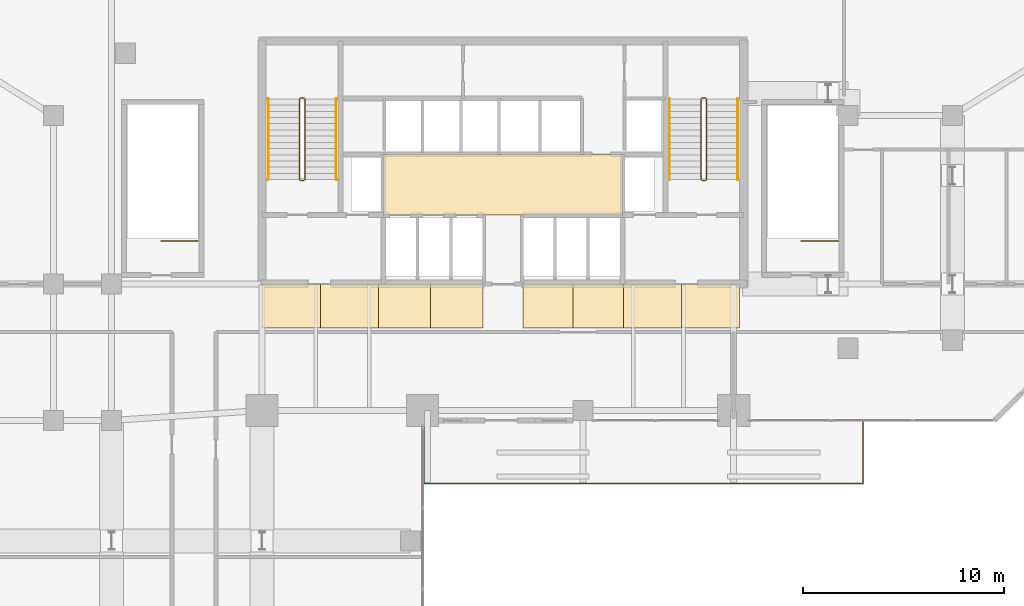
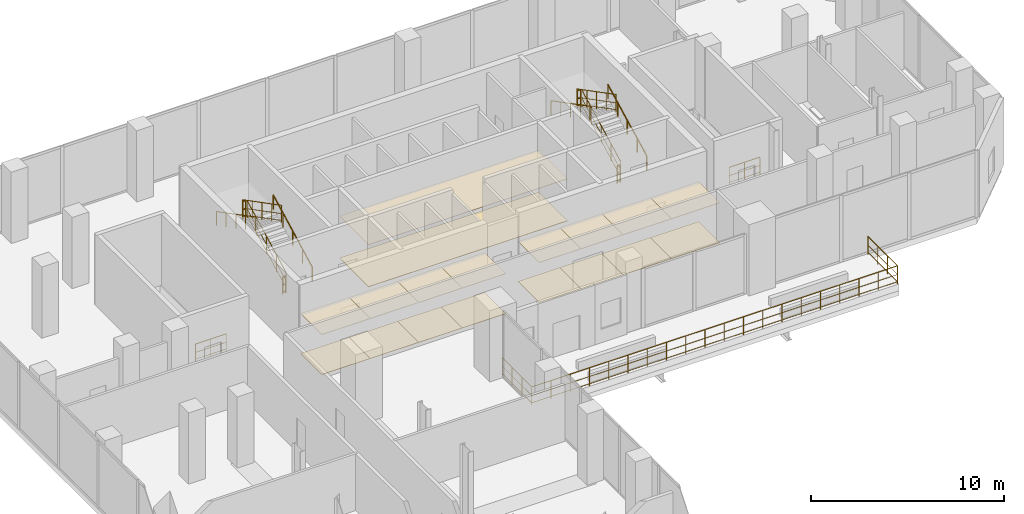
# One storey, part 24 of 24: 18 coverings, 15 railings.
"""IFC4 building model written with IfcOpenShell, lengths in metres."""

from ifc_helpers import new_model, si_unit, direction, frame, origin, origin_2d, place, context, subcontext, project, spatial, polyline, circle, outline, extrude, material, layer, layer_set, type_object, element, save


model = new_model("IFC4")

# Units and contexts
model_context = context("Model", 3, precision=1e-05, world=origin(), true_north=direction((0.0, 1.0)))
body_context = subcontext(model_context, "Body", "Model", "MODEL_VIEW")
ifc_project = project(units=[si_unit("LENGTHUNIT", "METRE"), si_unit("AREAUNIT", "SQUARE_METRE"), si_unit("VOLUMEUNIT", "CUBIC_METRE"), si_unit("PLANEANGLEUNIT", "RADIAN"), si_unit("MASSUNIT", "GRAM", prefix="KILO")], contexts=[model_context])

# Site, building, storey
site_placement = place(None, origin())
site = spatial("IfcSite", under=ifc_project, at=site_placement, CompositionType="ELEMENT")
building_placement = place(site_placement, origin())
building = spatial("IfcBuilding", under=site, at=building_placement, Name="Catumbela Crestline Tower", CompositionType="ELEMENT")
storey_placement = place(building_placement, frame((0.0, 0.0, 21.3)))
storey = spatial("IfcBuildingStorey", under=building, at=storey_placement, Name="L04", CompositionType="ELEMENT", Elevation=21.3)

# Coverings
ifc_material_1 = material(Name="Mineral-fibre acoustic ceiling")
ifc_layer_1 = layer(ifc_material_1, 0.03, Name="Mineral-fibre acoustic ceiling")
ifc_layer_set_1 = layer_set([ifc_layer_1], Name="Mineral-fibre acoustic ceiling")
covering_type_1 = type_object("IfcCoveringType", Name="CC-AC", PredefinedType="CEILING", material=ifc_layer_set_1)
covering_1_placement = place(storey_placement, frame((0.0, 0.0, 2.65)))
element("IfcCovering", 1, at=covering_1_placement, inside=storey, type_object=covering_type_1, Name="L04 Lift Lobby Acoustic Ceiling", PredefinedType="CEILING", context=body_context, shape_type="SweptSolid", body=[
    extrude(outline(polyline([(22.05, 34.25), (33.95, 34.25), (33.95, 37.25), (22.05, 37.25), (22.05, 34.25)])), origin(), (0.0, 0.0, 1.0), 0.03),
])
covering_2_placement = place(storey_placement, frame((0.0, 0.0, 2.52)))
element("IfcCovering", 2, at=covering_2_placement, inside=storey, type_object=covering_type_1, Name="L04 Corridor Acoustic Ceiling Bay 1", PredefinedType="CEILING", context=body_context, shape_type="SweptSolid", body=[
    extrude(outline(polyline([(16.0, 28.6), (18.9, 28.6), (18.9, 30.8), (16.0, 30.8), (16.0, 28.6)])), origin(), (0.0, 0.0, 1.0), 0.03),
])
covering_3_placement = place(storey_placement, frame((0.0, 0.0, 2.52)))
element("IfcCovering", 3, at=covering_3_placement, inside=storey, type_object=covering_type_1, Name="L04 Corridor Acoustic Ceiling Bay 2", PredefinedType="CEILING", context=body_context, shape_type="SweptSolid", body=[
    extrude(outline(polyline([(18.9, 28.6), (21.8, 28.6), (21.8, 30.8), (18.9, 30.8), (18.9, 28.6)])), origin(), (0.0, 0.0, 1.0), 0.03),
])
covering_4_placement = place(storey_placement, frame((0.0, 0.0, 2.52)))
element("IfcCovering", 4, at=covering_4_placement, inside=storey, type_object=covering_type_1, Name="L04 Corridor Acoustic Ceiling Bay 3", PredefinedType="CEILING", context=body_context, shape_type="SweptSolid", body=[
    extrude(outline(polyline([(21.8, 28.6), (24.4, 28.6), (24.4, 30.8), (21.8, 30.8), (21.8, 28.6)])), origin(), (0.0, 0.0, 1.0), 0.03),
])
covering_5_placement = place(storey_placement, frame((0.0, 0.0, 2.52)))
element("IfcCovering", 5, at=covering_5_placement, inside=storey, type_object=covering_type_1, Name="L04 Corridor Acoustic Ceiling Bay 4", PredefinedType="CEILING", context=body_context, shape_type="SweptSolid", body=[
    extrude(outline(polyline([(24.4, 28.6), (27.0, 28.6), (27.0, 30.8), (24.4, 30.8), (24.4, 28.6)])), origin(), (0.0, 0.0, 1.0), 0.03),
])
covering_6_placement = place(storey_placement, frame((0.0, 0.0, 2.52)))
element("IfcCovering", 6, at=covering_6_placement, inside=storey, type_object=covering_type_1, Name="L04 Corridor Acoustic Ceiling Bay 5", PredefinedType="CEILING", context=body_context, shape_type="SweptSolid", body=[
    extrude(outline(polyline([(29.0, 28.6), (31.5, 28.6), (31.5, 30.8), (29.0, 30.8), (29.0, 28.6)])), origin(), (0.0, 0.0, 1.0), 0.03),
])
covering_7_placement = place(storey_placement, frame((0.0, 0.0, 2.52)))
element("IfcCovering", 7, at=covering_7_placement, inside=storey, type_object=covering_type_1, Name="L04 Corridor Acoustic Ceiling Bay 6", PredefinedType="CEILING", context=body_context, shape_type="SweptSolid", body=[
    extrude(outline(polyline([(31.5, 28.6), (34.0, 28.6), (34.0, 30.8), (31.5, 30.8), (31.5, 28.6)])), origin(), (0.0, 0.0, 1.0), 0.03),
])
covering_8_placement = place(storey_placement, frame((0.0, 0.0, 2.52)))
element("IfcCovering", 8, at=covering_8_placement, inside=storey, type_object=covering_type_1, Name="L04 Corridor Acoustic Ceiling Bay 7", PredefinedType="CEILING", context=body_context, shape_type="SweptSolid", body=[
    extrude(outline(polyline([(34.0, 28.6), (36.9, 28.6), (36.9, 30.8), (34.0, 30.8), (34.0, 28.6)])), origin(), (0.0, 0.0, 1.0), 0.03),
])
covering_9_placement = place(storey_placement, frame((0.0, 0.0, 2.52)))
element("IfcCovering", 9, at=covering_9_placement, inside=storey, type_object=covering_type_1, Name="L04 Corridor Acoustic Ceiling Bay 8", PredefinedType="CEILING", context=body_context, shape_type="SweptSolid", body=[
    extrude(outline(polyline([(36.9, 28.6), (39.8, 28.6), (39.8, 30.8), (36.9, 30.8), (36.9, 28.6)])), origin(), (0.0, 0.0, 1.0), 0.03),
])
ifc_material_2 = material(Name="Angolan grey-ochre granite", Category="masonry")
ifc_layer_2 = layer(ifc_material_2, 0.025, Name="Angolan grey-ochre granite")
ifc_layer_set_2 = layer_set([ifc_layer_2], Name="Angolan grey-ochre granite")
covering_type_2 = type_object("IfcCoveringType", Name="CF-GR", PredefinedType="FLOORING", material=ifc_layer_set_2)
covering_10_placement = place(storey_placement, origin())
element("IfcCovering", 10, at=covering_10_placement, inside=storey, type_object=covering_type_2, Name="L04 Corridor Granite Flooring Bay 1", PredefinedType="FLOORING", context=body_context, shape_type="SweptSolid", body=[
    extrude(outline(polyline([(16.0, 28.6), (18.9, 28.6), (18.9, 30.8), (16.0, 30.8), (16.0, 28.6)])), origin(), (0.0, 0.0, 1.0), 0.025),
])
covering_11_placement = place(storey_placement, origin())
element("IfcCovering", 11, at=covering_11_placement, inside=storey, type_object=covering_type_2, Name="L04 Corridor Granite Flooring Bay 2", PredefinedType="FLOORING", context=body_context, shape_type="SweptSolid", body=[
    extrude(outline(polyline([(18.9, 28.6), (21.8, 28.6), (21.8, 30.8), (18.9, 30.8), (18.9, 28.6)])), origin(), (0.0, 0.0, 1.0), 0.025),
])
covering_12_placement = place(storey_placement, origin())
element("IfcCovering", 12, at=covering_12_placement, inside=storey, type_object=covering_type_2, Name="L04 Corridor Granite Flooring Bay 3", PredefinedType="FLOORING", context=body_context, shape_type="SweptSolid", body=[
    extrude(outline(polyline([(21.8, 28.6), (24.4, 28.6), (24.4, 30.8), (21.8, 30.8), (21.8, 28.6)])), origin(), (0.0, 0.0, 1.0), 0.025),
])
covering_13_placement = place(storey_placement, origin())
element("IfcCovering", 13, at=covering_13_placement, inside=storey, type_object=covering_type_2, Name="L04 Corridor Granite Flooring Bay 4", PredefinedType="FLOORING", context=body_context, shape_type="SweptSolid", body=[
    extrude(outline(polyline([(24.4, 28.6), (27.0, 28.6), (27.0, 30.8), (24.4, 30.8), (24.4, 28.6)])), origin(), (0.0, 0.0, 1.0), 0.025),
])
covering_14_placement = place(storey_placement, origin())
element("IfcCovering", 14, at=covering_14_placement, inside=storey, type_object=covering_type_2, Name="L04 Corridor Granite Flooring Bay 5", PredefinedType="FLOORING", context=body_context, shape_type="SweptSolid", body=[
    extrude(outline(polyline([(29.0, 28.6), (31.5, 28.6), (31.5, 30.8), (29.0, 30.8), (29.0, 28.6)])), origin(), (0.0, 0.0, 1.0), 0.025),
])
covering_15_placement = place(storey_placement, origin())
element("IfcCovering", 15, at=covering_15_placement, inside=storey, type_object=covering_type_2, Name="L04 Corridor Granite Flooring Bay 6", PredefinedType="FLOORING", context=body_context, shape_type="SweptSolid", body=[
    extrude(outline(polyline([(31.5, 28.6), (34.0, 28.6), (34.0, 30.8), (31.5, 30.8), (31.5, 28.6)])), origin(), (0.0, 0.0, 1.0), 0.025),
])
covering_16_placement = place(storey_placement, origin())
element("IfcCovering", 16, at=covering_16_placement, inside=storey, type_object=covering_type_2, Name="L04 Corridor Granite Flooring Bay 7", PredefinedType="FLOORING", context=body_context, shape_type="SweptSolid", body=[
    extrude(outline(polyline([(34.0, 28.6), (36.9, 28.6), (36.9, 30.8), (34.0, 30.8), (34.0, 28.6)])), origin(), (0.0, 0.0, 1.0), 0.025),
])
covering_17_placement = place(storey_placement, origin())
element("IfcCovering", 17, at=covering_17_placement, inside=storey, type_object=covering_type_2, Name="L04 Corridor Granite Flooring Bay 8", PredefinedType="FLOORING", context=body_context, shape_type="SweptSolid", body=[
    extrude(outline(polyline([(36.9, 28.6), (39.8, 28.6), (39.8, 30.8), (36.9, 30.8), (36.9, 28.6)])), origin(), (0.0, 0.0, 1.0), 0.025),
])
covering_18_placement = place(storey_placement, origin())
element("IfcCovering", 18, at=covering_18_placement, inside=storey, type_object=covering_type_2, Name="L04 Lift Lobby Granite Flooring", PredefinedType="FLOORING", context=body_context, shape_type="SweptSolid", body=[
    extrude(outline(polyline([(22.05, 34.25), (33.95, 34.25), (33.95, 37.25), (22.05, 37.25), (22.05, 34.25)])), origin(), (0.0, 0.0, 1.0), 0.025),
])

# Railings
ifc_material_3 = material(Name="Stainless steel EN 1.4401", Category="steel")
railing_type_1 = type_object("IfcRailingType", Name="RG-1100", PredefinedType="GUARDRAIL", material=ifc_material_3)
railing_1_placement = place(storey_placement, frame((18.14, 36.0, 0.1607)))
element("IfcRailing", 19, at=railing_1_placement, inside=storey, type_object=railing_type_1, Name="L04 ST-01 stair guard 1", PredefinedType="GUARDRAIL", context=body_context, shape_type="SweptSolid", body=[
    extrude(circle(Radius=0.024, at=origin_2d()), frame((0.0, 0.0, 1.076), z_axis=(0.0, 0.887784203781, 0.460259934729), x_axis=(-1.0, 0.0, 0.0)), (0.0, 0.0, 1.0), 4.5394),
    extrude(circle(Radius=0.0156, at=origin_2d()), frame((0.0, 0.0, 0.55), z_axis=(0.0, 0.887784203781, 0.460259934729), x_axis=(-1.0, 0.0, 0.0)), (0.0, 0.0, 1.0), 4.5394),
    extrude(circle(Radius=0.0156, at=origin_2d()), frame((0.0, 0.0, 0.12), z_axis=(0.0, 0.887784203781, 0.460259934729), x_axis=(-1.0, 0.0, 0.0)), (0.0, 0.0, 1.0), 4.5394),
    extrude(circle(Radius=0.021, at=origin_2d()), origin(), (0.0, 0.0, 1.0), 1.052),
    extrude(circle(Radius=0.021, at=origin_2d()), frame((0.0, 1.0075, 0.5223)), (0.0, 0.0, 1.0), 1.052),
    extrude(circle(Radius=0.021, at=origin_2d()), frame((0.0, 2.015, 1.0447)), (0.0, 0.0, 1.0), 1.052),
    extrude(circle(Radius=0.021, at=origin_2d()), frame((0.0, 3.0225, 1.567)), (0.0, 0.0, 1.0), 1.052),
    extrude(circle(Radius=0.021, at=origin_2d()), frame((0.0, 4.03, 2.0893)), (0.0, 0.0, 1.0), 1.052),
])
railing_2_placement = place(storey_placement, frame((18.09, 40.08, 2.25)))
element("IfcRailing", 20, at=railing_2_placement, inside=storey, type_object=railing_type_1, Name="L04 ST-01 stair guard 2", PredefinedType="GUARDRAIL", context=body_context, shape_type="SweptSolid", body=[
    extrude(circle(Radius=0.024, at=origin_2d()), frame((0.0, 0.0, 1.076), z_axis=(-1.0, 0.0, 0.0), x_axis=(0.0, -1.0, 0.0)), (0.0, 0.0, 1.0), 0.18),
    extrude(circle(Radius=0.0156, at=origin_2d()), frame((0.0, 0.0, 0.55), z_axis=(-1.0, 0.0, 0.0), x_axis=(0.0, -1.0, 0.0)), (0.0, 0.0, 1.0), 0.18),
    extrude(circle(Radius=0.0156, at=origin_2d()), frame((0.0, 0.0, 0.12), z_axis=(-1.0, 0.0, 0.0), x_axis=(0.0, -1.0, 0.0)), (0.0, 0.0, 1.0), 0.18),
    extrude(circle(Radius=0.021, at=origin_2d()), origin(), (0.0, 0.0, 1.0), 1.052),
    extrude(circle(Radius=0.021, at=origin_2d()), frame((-0.18, 0.0, 0.0)), (0.0, 0.0, 1.0), 1.052),
])
railing_3_placement = place(storey_placement, frame((17.86, 40.03, 2.4107)))
element("IfcRailing", 21, at=railing_3_placement, inside=storey, type_object=railing_type_1, Name="L04 ST-01 stair guard 3", PredefinedType="GUARDRAIL", context=body_context, shape_type="SweptSolid", body=[
    extrude(circle(Radius=0.024, at=origin_2d()), frame((0.0, 0.0, 1.076), z_axis=(0.0, -0.887784203781, 0.460259934729), x_axis=(1.0, 0.0, 0.0)), (0.0, 0.0, 1.0), 4.5394),
    extrude(circle(Radius=0.0156, at=origin_2d()), frame((0.0, 0.0, 0.55), z_axis=(0.0, -0.887784203781, 0.460259934729), x_axis=(1.0, 0.0, 0.0)), (0.0, 0.0, 1.0), 4.5394),
    extrude(circle(Radius=0.0156, at=origin_2d()), frame((0.0, 0.0, 0.12), z_axis=(0.0, -0.887784203781, 0.460259934729), x_axis=(1.0, 0.0, 0.0)), (0.0, 0.0, 1.0), 4.5394),
    extrude(circle(Radius=0.021, at=origin_2d()), origin(), (0.0, 0.0, 1.0), 1.052),
    extrude(circle(Radius=0.021, at=origin_2d()), frame((0.0, -1.0075, 0.5223)), (0.0, 0.0, 1.0), 1.052),
    extrude(circle(Radius=0.021, at=origin_2d()), frame((0.0, -2.015, 1.0447)), (0.0, 0.0, 1.0), 1.052),
    extrude(circle(Radius=0.021, at=origin_2d()), frame((0.0, -3.0225, 1.567)), (0.0, 0.0, 1.0), 1.052),
    extrude(circle(Radius=0.021, at=origin_2d()), frame((0.0, -4.03, 2.0893)), (0.0, 0.0, 1.0), 1.052),
])
railing_4_placement = place(storey_placement, frame((18.09, 35.95, 0.0)))
element("IfcRailing", 22, at=railing_4_placement, inside=storey, type_object=railing_type_1, Name="L04 ST-01 stair guard 4", PredefinedType="GUARDRAIL", context=body_context, shape_type="SweptSolid", body=[
    extrude(circle(Radius=0.024, at=origin_2d()), frame((0.0, 0.0, 1.076), z_axis=(-1.0, 0.0, 0.0), x_axis=(0.0, -1.0, 0.0)), (0.0, 0.0, 1.0), 0.18),
    extrude(circle(Radius=0.0156, at=origin_2d()), frame((0.0, 0.0, 0.55), z_axis=(-1.0, 0.0, 0.0), x_axis=(0.0, -1.0, 0.0)), (0.0, 0.0, 1.0), 0.18),
    extrude(circle(Radius=0.0156, at=origin_2d()), frame((0.0, 0.0, 0.12), z_axis=(-1.0, 0.0, 0.0), x_axis=(0.0, -1.0, 0.0)), (0.0, 0.0, 1.0), 0.18),
    extrude(circle(Radius=0.021, at=origin_2d()), origin(), (0.0, 0.0, 1.0), 1.052),
    extrude(circle(Radius=0.021, at=origin_2d()), frame((-0.18, 0.0, 0.0)), (0.0, 0.0, 1.0), 1.052),
])
railing_5_placement = place(storey_placement, frame((38.14, 36.0, 0.1607)))
element("IfcRailing", 23, at=railing_5_placement, inside=storey, type_object=railing_type_1, Name="L04 ST-02 stair guard 1", PredefinedType="GUARDRAIL", context=body_context, shape_type="SweptSolid", body=[
    extrude(circle(Radius=0.024, at=origin_2d()), frame((0.0, 0.0, 1.076), z_axis=(0.0, 0.887784203781, 0.460259934729), x_axis=(-1.0, 0.0, 0.0)), (0.0, 0.0, 1.0), 4.5394),
    extrude(circle(Radius=0.0156, at=origin_2d()), frame((0.0, 0.0, 0.55), z_axis=(0.0, 0.887784203781, 0.460259934729), x_axis=(-1.0, 0.0, 0.0)), (0.0, 0.0, 1.0), 4.5394),
    extrude(circle(Radius=0.0156, at=origin_2d()), frame((0.0, 0.0, 0.12), z_axis=(0.0, 0.887784203781, 0.460259934729), x_axis=(-1.0, 0.0, 0.0)), (0.0, 0.0, 1.0), 4.5394),
    extrude(circle(Radius=0.021, at=origin_2d()), origin(), (0.0, 0.0, 1.0), 1.052),
    extrude(circle(Radius=0.021, at=origin_2d()), frame((0.0, 1.0075, 0.5223)), (0.0, 0.0, 1.0), 1.052),
    extrude(circle(Radius=0.021, at=origin_2d()), frame((0.0, 2.015, 1.0447)), (0.0, 0.0, 1.0), 1.052),
    extrude(circle(Radius=0.021, at=origin_2d()), frame((0.0, 3.0225, 1.567)), (0.0, 0.0, 1.0), 1.052),
    extrude(circle(Radius=0.021, at=origin_2d()), frame((0.0, 4.03, 2.0893)), (0.0, 0.0, 1.0), 1.052),
])
railing_6_placement = place(storey_placement, frame((38.09, 40.08, 2.25)))
element("IfcRailing", 24, at=railing_6_placement, inside=storey, type_object=railing_type_1, Name="L04 ST-02 stair guard 2", PredefinedType="GUARDRAIL", context=body_context, shape_type="SweptSolid", body=[
    extrude(circle(Radius=0.024, at=origin_2d()), frame((0.0, 0.0, 1.076), z_axis=(-1.0, 0.0, 0.0), x_axis=(0.0, -1.0, 0.0)), (0.0, 0.0, 1.0), 0.18),
    extrude(circle(Radius=0.0156, at=origin_2d()), frame((0.0, 0.0, 0.55), z_axis=(-1.0, 0.0, 0.0), x_axis=(0.0, -1.0, 0.0)), (0.0, 0.0, 1.0), 0.18),
    extrude(circle(Radius=0.0156, at=origin_2d()), frame((0.0, 0.0, 0.12), z_axis=(-1.0, 0.0, 0.0), x_axis=(0.0, -1.0, 0.0)), (0.0, 0.0, 1.0), 0.18),
    extrude(circle(Radius=0.021, at=origin_2d()), origin(), (0.0, 0.0, 1.0), 1.052),
    extrude(circle(Radius=0.021, at=origin_2d()), frame((-0.18, 0.0, 0.0)), (0.0, 0.0, 1.0), 1.052),
])
railing_7_placement = place(storey_placement, frame((37.86, 40.03, 2.4107)))
element("IfcRailing", 25, at=railing_7_placement, inside=storey, type_object=railing_type_1, Name="L04 ST-02 stair guard 3", PredefinedType="GUARDRAIL", context=body_context, shape_type="SweptSolid", body=[
    extrude(circle(Radius=0.024, at=origin_2d()), frame((0.0, 0.0, 1.076), z_axis=(0.0, -0.887784203781, 0.460259934729), x_axis=(1.0, 0.0, 0.0)), (0.0, 0.0, 1.0), 4.5394),
    extrude(circle(Radius=0.0156, at=origin_2d()), frame((0.0, 0.0, 0.55), z_axis=(0.0, -0.887784203781, 0.460259934729), x_axis=(1.0, 0.0, 0.0)), (0.0, 0.0, 1.0), 4.5394),
    extrude(circle(Radius=0.0156, at=origin_2d()), frame((0.0, 0.0, 0.12), z_axis=(0.0, -0.887784203781, 0.460259934729), x_axis=(1.0, 0.0, 0.0)), (0.0, 0.0, 1.0), 4.5394),
    extrude(circle(Radius=0.021, at=origin_2d()), origin(), (0.0, 0.0, 1.0), 1.052),
    extrude(circle(Radius=0.021, at=origin_2d()), frame((0.0, -1.0075, 0.5223)), (0.0, 0.0, 1.0), 1.052),
    extrude(circle(Radius=0.021, at=origin_2d()), frame((0.0, -2.015, 1.0447)), (0.0, 0.0, 1.0), 1.052),
    extrude(circle(Radius=0.021, at=origin_2d()), frame((0.0, -3.0225, 1.567)), (0.0, 0.0, 1.0), 1.052),
    extrude(circle(Radius=0.021, at=origin_2d()), frame((0.0, -4.03, 2.0893)), (0.0, 0.0, 1.0), 1.052),
])
railing_8_placement = place(storey_placement, frame((38.09, 35.95, 0.0)))
element("IfcRailing", 26, at=railing_8_placement, inside=storey, type_object=railing_type_1, Name="L04 ST-02 stair guard 4", PredefinedType="GUARDRAIL", context=body_context, shape_type="SweptSolid", body=[
    extrude(circle(Radius=0.024, at=origin_2d()), frame((0.0, 0.0, 1.076), z_axis=(-1.0, 0.0, 0.0), x_axis=(0.0, -1.0, 0.0)), (0.0, 0.0, 1.0), 0.18),
    extrude(circle(Radius=0.0156, at=origin_2d()), frame((0.0, 0.0, 0.55), z_axis=(-1.0, 0.0, 0.0), x_axis=(0.0, -1.0, 0.0)), (0.0, 0.0, 1.0), 0.18),
    extrude(circle(Radius=0.0156, at=origin_2d()), frame((0.0, 0.0, 0.12), z_axis=(-1.0, 0.0, 0.0), x_axis=(0.0, -1.0, 0.0)), (0.0, 0.0, 1.0), 0.18),
    extrude(circle(Radius=0.021, at=origin_2d()), origin(), (0.0, 0.0, 1.0), 1.052),
    extrude(circle(Radius=0.021, at=origin_2d()), frame((-0.18, 0.0, 0.0)), (0.0, 0.0, 1.0), 1.052),
])
for number, where, name in (
    (27, (12.8, 32.95, 0.0), "L04 ST-03 top well guard 1"),
    (28, (44.7, 32.95, 0.0), "L04 ST-04 top well guard 1"),
):
    element("IfcRailing", number, at=place(storey_placement, frame(where)), inside=storey, type_object=railing_type_1, Name=name, PredefinedType="GUARDRAIL", context=body_context, shape_type="SweptSolid", body=[
        extrude(circle(Radius=0.024, at=origin_2d()), frame((0.0, 0.0, 1.076), z_axis=(-1.0, 0.0, 0.0), x_axis=(0.0, -1.0, 0.0)), (0.0, 0.0, 1.0), 1.84),
        extrude(circle(Radius=0.0156, at=origin_2d()), frame((0.0, 0.0, 0.55), z_axis=(-1.0, 0.0, 0.0), x_axis=(0.0, -1.0, 0.0)), (0.0, 0.0, 1.0), 1.84),
        extrude(circle(Radius=0.0156, at=origin_2d()), frame((0.0, 0.0, 0.12), z_axis=(-1.0, 0.0, 0.0), x_axis=(0.0, -1.0, 0.0)), (0.0, 0.0, 1.0), 1.84),
        extrude(circle(Radius=0.021, at=origin_2d()), origin(), (0.0, 0.0, 1.0), 1.052),
        extrude(circle(Radius=0.021, at=origin_2d()), frame((-0.92, 0.0, 0.0)), (0.0, 0.0, 1.0), 1.052),
        extrude(circle(Radius=0.021, at=origin_2d()), frame((-1.84, 0.0, 0.0)), (0.0, 0.0, 1.0), 1.052),
    ])
railing_type_2 = type_object("IfcRailingType", Name="RH-0900", PredefinedType="HANDRAIL", material=ifc_material_3)
railing_9_placement = place(storey_placement, frame((19.7, 36.0, 0.1607)))
element("IfcRailing", 29, at=railing_9_placement, inside=storey, type_object=railing_type_2, Name="L04 ST-01 stair handrail 1", PredefinedType="HANDRAIL", context=body_context, shape_type="SweptSolid", body=[
    extrude(circle(Radius=0.024, at=origin_2d()), frame((0.0, 0.0, 0.876), z_axis=(0.0, 0.887784203781, 0.460259934729), x_axis=(-1.0, 0.0, 0.0)), (0.0, 0.0, 1.0), 4.5394),
    extrude(circle(Radius=0.021, at=origin_2d()), origin(), (0.0, 0.0, 1.0), 0.852),
    extrude(circle(Radius=0.021, at=origin_2d()), frame((0.0, 1.0075, 0.5223)), (0.0, 0.0, 1.0), 0.852),
    extrude(circle(Radius=0.021, at=origin_2d()), frame((0.0, 2.015, 1.0447)), (0.0, 0.0, 1.0), 0.852),
    extrude(circle(Radius=0.021, at=origin_2d()), frame((0.0, 3.0225, 1.567)), (0.0, 0.0, 1.0), 0.852),
    extrude(circle(Radius=0.021, at=origin_2d()), frame((0.0, 4.03, 2.0893)), (0.0, 0.0, 1.0), 0.852),
])
railing_10_placement = place(storey_placement, frame((16.3, 40.03, 2.4107)))
element("IfcRailing", 30, at=railing_10_placement, inside=storey, type_object=railing_type_2, Name="L04 ST-01 stair handrail 2", PredefinedType="HANDRAIL", context=body_context, shape_type="SweptSolid", body=[
    extrude(circle(Radius=0.024, at=origin_2d()), frame((0.0, 0.0, 0.876), z_axis=(0.0, -0.887784203781, 0.460259934729), x_axis=(1.0, 0.0, 0.0)), (0.0, 0.0, 1.0), 4.5394),
    extrude(circle(Radius=0.021, at=origin_2d()), origin(), (0.0, 0.0, 1.0), 0.852),
    extrude(circle(Radius=0.021, at=origin_2d()), frame((0.0, -1.0075, 0.5223)), (0.0, 0.0, 1.0), 0.852),
    extrude(circle(Radius=0.021, at=origin_2d()), frame((0.0, -2.015, 1.0447)), (0.0, 0.0, 1.0), 0.852),
    extrude(circle(Radius=0.021, at=origin_2d()), frame((0.0, -3.0225, 1.567)), (0.0, 0.0, 1.0), 0.852),
    extrude(circle(Radius=0.021, at=origin_2d()), frame((0.0, -4.03, 2.0893)), (0.0, 0.0, 1.0), 0.852),
])
railing_11_placement = place(storey_placement, frame((39.7, 36.0, 0.1607)))
element("IfcRailing", 31, at=railing_11_placement, inside=storey, type_object=railing_type_2, Name="L04 ST-02 stair handrail 1", PredefinedType="HANDRAIL", context=body_context, shape_type="SweptSolid", body=[
    extrude(circle(Radius=0.024, at=origin_2d()), frame((0.0, 0.0, 0.876), z_axis=(0.0, 0.887784203781, 0.460259934729), x_axis=(-1.0, 0.0, 0.0)), (0.0, 0.0, 1.0), 4.5394),
    extrude(circle(Radius=0.021, at=origin_2d()), origin(), (0.0, 0.0, 1.0), 0.852),
    extrude(circle(Radius=0.021, at=origin_2d()), frame((0.0, 1.0075, 0.5223)), (0.0, 0.0, 1.0), 0.852),
    extrude(circle(Radius=0.021, at=origin_2d()), frame((0.0, 2.015, 1.0447)), (0.0, 0.0, 1.0), 0.852),
    extrude(circle(Radius=0.021, at=origin_2d()), frame((0.0, 3.0225, 1.567)), (0.0, 0.0, 1.0), 0.852),
    extrude(circle(Radius=0.021, at=origin_2d()), frame((0.0, 4.03, 2.0893)), (0.0, 0.0, 1.0), 0.852),
])
railing_12_placement = place(storey_placement, frame((36.3, 40.03, 2.4107)))
element("IfcRailing", 32, at=railing_12_placement, inside=storey, type_object=railing_type_2, Name="L04 ST-02 stair handrail 2", PredefinedType="HANDRAIL", context=body_context, shape_type="SweptSolid", body=[
    extrude(circle(Radius=0.024, at=origin_2d()), frame((0.0, 0.0, 0.876), z_axis=(0.0, -0.887784203781, 0.460259934729), x_axis=(1.0, 0.0, 0.0)), (0.0, 0.0, 1.0), 4.5394),
    extrude(circle(Radius=0.021, at=origin_2d()), origin(), (0.0, 0.0, 1.0), 0.852),
    extrude(circle(Radius=0.021, at=origin_2d()), frame((0.0, -1.0075, 0.5223)), (0.0, 0.0, 1.0), 0.852),
    extrude(circle(Radius=0.021, at=origin_2d()), frame((0.0, -2.015, 1.0447)), (0.0, 0.0, 1.0), 0.852),
    extrude(circle(Radius=0.021, at=origin_2d()), frame((0.0, -3.0225, 1.567)), (0.0, 0.0, 1.0), 0.852),
    extrude(circle(Radius=0.021, at=origin_2d()), frame((0.0, -4.03, 2.0893)), (0.0, 0.0, 1.0), 0.852),
])
railing_type_3 = type_object("IfcRailingType", Name="RT-1150", PredefinedType="BALUSTRADE", material=ifc_material_3)
railing_13_placement = place(storey_placement, frame((24.08, 23.92, -0.02)))
element("IfcRailing", 33, at=railing_13_placement, inside=storey, type_object=railing_type_3, Name="L04 Sky-Garden Terrace Balustrade TER-L04-SE", PredefinedType="BALUSTRADE", context=body_context, shape_type="SweptSolid", body=[
    extrude(circle(Radius=0.024, at=origin_2d()), frame((0.0, 0.0, 1.126), z_axis=(0.0, -1.0, 0.0), x_axis=(1.0, 0.0, 0.0)), (0.0, 0.0, 1.0), 3.06),
    extrude(circle(Radius=0.0156, at=origin_2d()), frame((0.0, 0.0, 0.575), z_axis=(0.0, -1.0, 0.0), x_axis=(1.0, 0.0, 0.0)), (0.0, 0.0, 1.0), 3.06),
    extrude(circle(Radius=0.0156, at=origin_2d()), frame((0.0, 0.0, 0.12), z_axis=(0.0, -1.0, 0.0), x_axis=(1.0, 0.0, 0.0)), (0.0, 0.0, 1.0), 3.06),
    extrude(circle(Radius=0.024, at=origin_2d()), frame((0.0, -3.06, 1.126), z_axis=(1.0, 0.0, 0.0), x_axis=(0.0, 1.0, 0.0)), (0.0, 0.0, 1.0), 21.86),
    extrude(circle(Radius=0.0156, at=origin_2d()), frame((0.0, -3.06, 0.575), z_axis=(1.0, 0.0, 0.0), x_axis=(0.0, 1.0, 0.0)), (0.0, 0.0, 1.0), 21.86),
    extrude(circle(Radius=0.0156, at=origin_2d()), frame((0.0, -3.06, 0.12), z_axis=(1.0, 0.0, 0.0), x_axis=(0.0, 1.0, 0.0)), (0.0, 0.0, 1.0), 21.86),
    extrude(circle(Radius=0.024, at=origin_2d()), frame((21.86, -3.06, 1.126), z_axis=(0.0, 1.0, 0.0), x_axis=(-1.0, 0.0, 0.0)), (0.0, 0.0, 1.0), 3.06),
    extrude(circle(Radius=0.0156, at=origin_2d()), frame((21.86, -3.06, 0.575), z_axis=(0.0, 1.0, 0.0), x_axis=(-1.0, 0.0, 0.0)), (0.0, 0.0, 1.0), 3.06),
    extrude(circle(Radius=0.0156, at=origin_2d()), frame((21.86, -3.06, 0.12), z_axis=(0.0, 1.0, 0.0), x_axis=(-1.0, 0.0, 0.0)), (0.0, 0.0, 1.0), 3.06),
    extrude(circle(Radius=0.021, at=origin_2d()), origin(), (0.0, 0.0, 1.0), 1.102),
    extrude(circle(Radius=0.021, at=origin_2d()), frame((0.0, -1.02, 0.0)), (0.0, 0.0, 1.0), 1.102),
    extrude(circle(Radius=0.021, at=origin_2d()), frame((0.0, -2.04, 0.0)), (0.0, 0.0, 1.0), 1.102),
    extrude(circle(Radius=0.021, at=origin_2d()), frame((0.0, -3.06, 0.0)), (0.0, 0.0, 1.0), 1.102),
    extrude(circle(Radius=0.021, at=origin_2d()), frame((1.1505, -3.06, 0.0)), (0.0, 0.0, 1.0), 1.102),
    extrude(circle(Radius=0.021, at=origin_2d()), frame((2.3011, -3.06, 0.0)), (0.0, 0.0, 1.0), 1.102),
    extrude(circle(Radius=0.021, at=origin_2d()), frame((3.4516, -3.06, 0.0)), (0.0, 0.0, 1.0), 1.102),
    extrude(circle(Radius=0.021, at=origin_2d()), frame((4.6021, -3.06, 0.0)), (0.0, 0.0, 1.0), 1.102),
    extrude(circle(Radius=0.021, at=origin_2d()), frame((5.7526, -3.06, 0.0)), (0.0, 0.0, 1.0), 1.102),
    extrude(circle(Radius=0.021, at=origin_2d()), frame((6.9032, -3.06, 0.0)), (0.0, 0.0, 1.0), 1.102),
    extrude(circle(Radius=0.021, at=origin_2d()), frame((8.0537, -3.06, 0.0)), (0.0, 0.0, 1.0), 1.102),
    extrude(circle(Radius=0.021, at=origin_2d()), frame((9.2042, -3.06, 0.0)), (0.0, 0.0, 1.0), 1.102),
    extrude(circle(Radius=0.021, at=origin_2d()), frame((10.3547, -3.06, 0.0)), (0.0, 0.0, 1.0), 1.102),
    extrude(circle(Radius=0.021, at=origin_2d()), frame((11.5053, -3.06, 0.0)), (0.0, 0.0, 1.0), 1.102),
    extrude(circle(Radius=0.021, at=origin_2d()), frame((12.6558, -3.06, 0.0)), (0.0, 0.0, 1.0), 1.102),
    extrude(circle(Radius=0.021, at=origin_2d()), frame((13.8063, -3.06, 0.0)), (0.0, 0.0, 1.0), 1.102),
    extrude(circle(Radius=0.021, at=origin_2d()), frame((14.9568, -3.06, 0.0)), (0.0, 0.0, 1.0), 1.102),
    extrude(circle(Radius=0.021, at=origin_2d()), frame((16.1074, -3.06, 0.0)), (0.0, 0.0, 1.0), 1.102),
    extrude(circle(Radius=0.021, at=origin_2d()), frame((17.2579, -3.06, 0.0)), (0.0, 0.0, 1.0), 1.102),
    extrude(circle(Radius=0.021, at=origin_2d()), frame((18.4084, -3.06, 0.0)), (0.0, 0.0, 1.0), 1.102),
    extrude(circle(Radius=0.021, at=origin_2d()), frame((19.5589, -3.06, 0.0)), (0.0, 0.0, 1.0), 1.102),
    extrude(circle(Radius=0.021, at=origin_2d()), frame((20.7095, -3.06, 0.0)), (0.0, 0.0, 1.0), 1.102),
    extrude(circle(Radius=0.021, at=origin_2d()), frame((21.86, -3.06, 0.0)), (0.0, 0.0, 1.0), 1.102),
    extrude(circle(Radius=0.021, at=origin_2d()), frame((21.86, -2.04, 0.0)), (0.0, 0.0, 1.0), 1.102),
    extrude(circle(Radius=0.021, at=origin_2d()), frame((21.86, -1.02, 0.0)), (0.0, 0.0, 1.0), 1.102),
    extrude(circle(Radius=0.021, at=origin_2d()), frame((21.86, 0.0, 0.0)), (0.0, 0.0, 1.0), 1.102),
])

save(model, "model.ifc")
